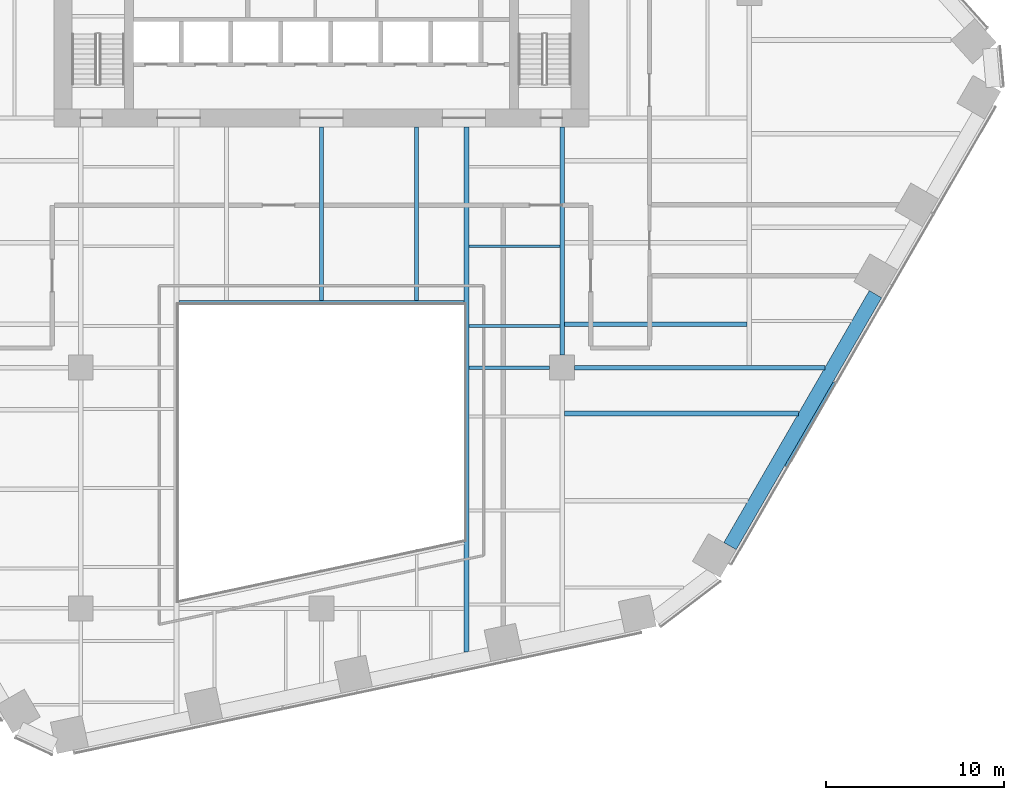
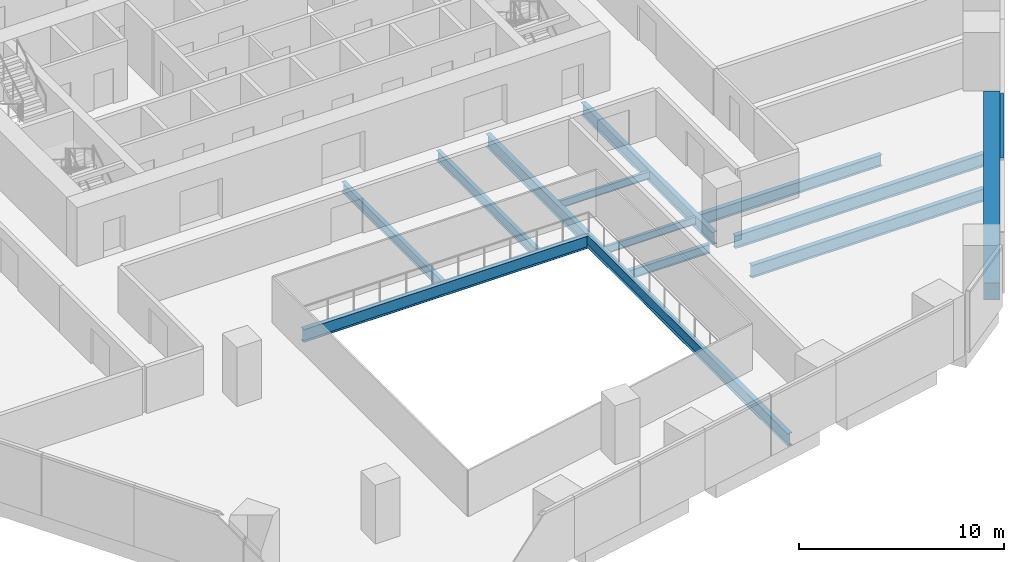
# One storey, part 6 of 20: 12 beams, 1 member, 1 element without a shape of its own.
"""IFC4 building model written with IfcOpenShell, lengths in metres."""

import ifcopenshell
import ifcopenshell.guid

model = None  # the IFC model being written
_history = None  # IfcOwnerHistory: only IFC2X3 demands one
_inside = {}  # id of a spatial element -> (the spatial element, [elements in it])
_under = {}  # id of a project, library or spatial element -> (it, [spatial elements below it])
_declared = {}  # id of a project -> (the project, [libraries it declares])
_typed = {}  # id of a type object -> (the type object, [elements of that type])
_made_of = {}  # id of a material, layer set ... -> (it, [elements and type objects made of it])


def new_model(schema):
    """Start an empty IFC model of exactly this schema.

    Asked for "IFC4X3", IfcOpenShell would pick the latest addendum, in which some entities
    have other attributes; the version numbers below select the first issue.
    IFC2X3 requires an IfcOwnerHistory on every rooted entity: one is made here for all.
    """
    global model, _history
    if schema == "IFC4X3":
        model = ifcopenshell.file(schema_version=(4, 3, 0, 0))
    else:
        model = ifcopenshell.file(schema=schema)
    _inside.clear()
    _under.clear()
    _declared.clear()
    _typed.clear()
    _made_of.clear()
    _history = None
    if model.schema == "IFC2X3":
        org = make("IfcOrganization", Name="unknown")
        user = make(
            "IfcPersonAndOrganization",
            ThePerson=make("IfcPerson", FamilyName="unknown"),
            TheOrganization=org,
        )
        app = make(
            "IfcApplication",
            ApplicationDeveloper=org,
            Version="unknown",
            ApplicationFullName="unknown",
            ApplicationIdentifier="unknown",
        )
        _history = make(
            "IfcOwnerHistory",
            OwningUser=user,
            OwningApplication=app,
            ChangeAction="ADDED",
            CreationDate=0,
        )
    return model


def make(cls, **values):
    """One entity of the class cls with the attributes given. An attribute that is None is left unset."""
    return model.create_entity(
        cls, **{name: value for name, value in values.items() if value is not None}
    )


def rooted(cls, **values):
    """An entity with a GlobalId (a new one), such as an element, a storey or a relation."""
    return make(cls, GlobalId=ifcopenshell.guid.new(), OwnerHistory=_history, **values)


def si_unit(unit_type, name, prefix=None):
    """IfcSIUnit, for example si_unit("LENGTHUNIT", "METRE", prefix="MILLI")."""
    return make("IfcSIUnit", UnitType=unit_type, Prefix=prefix, Name=name)


def assignment(units):
    """IfcUnitAssignment: the units of a project."""
    return None if units is None else make("IfcUnitAssignment", Units=units)


def point(xyz):
    """IfcCartesianPoint."""
    return None if xyz is None else make("IfcCartesianPoint", Coordinates=xyz)


def direction(xyz):
    """IfcDirection."""
    return None if xyz is None else make("IfcDirection", DirectionRatios=xyz)


def frame(location, z_axis=None, x_axis=None):
    """IfcAxis2Placement3D, a coordinate frame: its origin and axes. An axis left out is left unset."""
    return make(
        "IfcAxis2Placement3D",
        Location=point(location),
        Axis=direction(z_axis),
        RefDirection=direction(x_axis),
    )


def frame_2d(location, x_axis=None):
    """IfcAxis2Placement2D, a coordinate frame in the plane: its origin and x axis."""
    return make(
        "IfcAxis2Placement2D", Location=point(location), RefDirection=direction(x_axis)
    )


def origin():
    """The frame at (0, 0, 0) with its axes left unset."""
    return frame((0.0, 0.0, 0.0))


def origin_2d():
    """The frame at (0, 0) in the plane with its x axis left unset."""
    return frame_2d((0.0, 0.0))


def place(relative_to, where):
    """IfcLocalPlacement: puts the frame where relative to a parent placement (None: the world)."""
    return make(
        "IfcLocalPlacement", PlacementRelTo=relative_to, RelativePlacement=where
    )


def context(
    kind, dimensions, precision=None, world=None, true_north=None, identifier=None
):
    """IfcGeometricRepresentationContext, for example the 3D "Model" context."""
    return make(
        "IfcGeometricRepresentationContext",
        ContextIdentifier=identifier,
        ContextType=kind,
        CoordinateSpaceDimension=dimensions,
        Precision=precision,
        WorldCoordinateSystem=world,
        TrueNorth=true_north,
    )


def subcontext(parent, identifier, kind, view, scale=None):
    """IfcGeometricRepresentationSubContext, for example "Body" below "Model"."""
    return make(
        "IfcGeometricRepresentationSubContext",
        ContextIdentifier=identifier,
        ContextType=kind,
        ParentContext=parent,
        TargetScale=scale,
        TargetView=view,
    )


def project(units=None, contexts=None):
    """IfcProject with its units and contexts."""
    return rooted(
        "IfcProject",
        Name="project",
        RepresentationContexts=contexts,
        UnitsInContext=assignment(units),
    )


def spatial(cls, under=None, at=None, **own):
    """A site, building, storey or space (cls), placed at a placement, below another one or the project."""
    s = rooted(cls, ObjectPlacement=at, **own)
    if under is not None:
        _under.setdefault(under.id(), (under, []))[1].append(s)
    return s


def profile(cls, at=None, kind="AREA", **sizes):
    """A parametric profile (cls). Its sizes go by their IFC names, for example OverallWidth=200.0."""
    return make(cls, ProfileType=kind, Position=at, **sizes)


def rectangle(**sizes):
    """IfcRectangleProfileDef."""
    return profile("IfcRectangleProfileDef", **sizes)


def i_section(**sizes):
    """IfcIShapeProfileDef."""
    return profile("IfcIShapeProfileDef", **sizes)


def extrude(swept, where, along, depth):
    """IfcExtrudedAreaSolid: the profile swept, set in the frame where, extruded along a direction by depth."""
    return make(
        "IfcExtrudedAreaSolid",
        SweptArea=swept,
        Position=where,
        ExtrudedDirection=direction(along),
        Depth=depth,
    )


def shape(context_of_items, identifier, shape_type, items):
    """IfcShapeRepresentation: the items that make up one representation, for example the "Body"."""
    return make(
        "IfcShapeRepresentation",
        ContextOfItems=context_of_items,
        RepresentationIdentifier=identifier,
        RepresentationType=shape_type,
        Items=items,
    )


def material(Name=None, Category=None):
    """IfcMaterial."""
    return make("IfcMaterial", Name=Name, Category=Category)


def layer(
    of_material, thickness, ventilated=None, Name=None, Category=None, Priority=None
):
    """IfcMaterialLayer: one layer of a wall or slab, of a material (None: an air gap)."""
    return make(
        "IfcMaterialLayer",
        Material=of_material,
        LayerThickness=thickness,
        IsVentilated=ventilated,
        Name=Name,
        Category=Category,
        Priority=Priority,
    )


def layer_set(layers, Name=None):
    """IfcMaterialLayerSet."""
    return make("IfcMaterialLayerSet", MaterialLayers=layers, LayerSetName=Name)


def material_profile(
    of_material, cross_section, Name=None, Category=None, Priority=None
):
    """IfcMaterialProfile: a cross section and its material."""
    return make(
        "IfcMaterialProfile",
        Name=Name,
        Material=of_material,
        Profile=cross_section,
        Priority=Priority,
        Category=Category,
    )


def profile_set(profiles, Name=None, composite=None):
    """IfcMaterialProfileSet."""
    return make(
        "IfcMaterialProfileSet",
        Name=Name,
        MaterialProfiles=profiles,
        CompositeProfile=composite,
    )


def made_of(thing, what):
    """Note that an element or type object is made of a material, layer set ...; save() writes the relation."""
    if what is not None:
        _made_of.setdefault(what.id(), (what, []))[1].append(thing)
    return thing


def type_object(cls, material=None, **own):
    """A type object (cls), such as IfcWallType, which elements share."""
    return made_of(rooted(cls, **own), material)


def element(
    cls,
    number,
    at=None,
    inside=None,
    cuts=None,
    type_object=None,
    material=None,
    context=None,
    identifier="Body",
    shape_type=None,
    held_by="IfcProductDefinitionShape",
    body=None,
    shapes=None,
    **own,
):
    """One element of the class cls, such as IfcWall. Its Tag is "e" and its number.

    at: its placement. inside: the storey or other place that contains it. cuts: it is an
    opening in that element (IfcRelVoidsElement). A single representation is given by context,
    identifier, shape_type and body (its items); several are given by shapes. held_by: the class
    of the entity that holds the representations. save() writes the other relations.
    """
    e = rooted(cls, Tag="e%d" % number, ObjectPlacement=at, **own)
    if body is not None:
        shapes = [shape(context, identifier, shape_type, body)]
    if shapes is not None:
        e.Representation = make(held_by, Representations=shapes)
    if inside is not None:
        _inside.setdefault(inside.id(), (inside, []))[1].append(e)
    if cuts is not None:
        rooted(
            "IfcRelVoidsElement", RelatingBuildingElement=cuts, RelatedOpeningElement=e
        )
    if type_object is not None:
        _typed.setdefault(type_object.id(), (type_object, []))[1].append(e)
    return made_of(e, material)


def aggregate(whole, parts):
    """IfcRelAggregates: a whole, such as a stair, and the parts it consists of."""
    return rooted("IfcRelAggregates", RelatingObject=whole, RelatedObjects=parts)


def save(model, path):
    """Write the relations noted so far, then the file.

    IfcRelAggregates (storeys below a building ...), IfcRelContainedInSpatialStructure (elements
    in a storey), IfcRelDefinesByType, IfcRelAssociatesMaterial and IfcRelDeclares: one each for
    every whole, place, type object, material and project.
    """
    for whole, parts in _under.values():
        aggregate(whole, parts)
    for where, things in _inside.values():
        rooted(
            "IfcRelContainedInSpatialStructure",
            RelatedElements=things,
            RelatingStructure=where,
        )
    for kind, things in _typed.values():
        rooted("IfcRelDefinesByType", RelatedObjects=things, RelatingType=kind)
    for what, things in _made_of.values():
        rooted("IfcRelAssociatesMaterial", RelatedObjects=things, RelatingMaterial=what)
    for by, libraries in _declared.values():
        rooted("IfcRelDeclares", RelatingContext=by, RelatedDefinitions=libraries)
    model.write(path)


model = new_model("IFC4")

# Units and contexts
model_context = context("Model", 3, precision=1e-05, world=origin(), true_north=direction((0.0, 1.0)))
body_context = subcontext(model_context, "Body", "Model", "MODEL_VIEW")
ifc_project = project(units=[si_unit("LENGTHUNIT", "METRE"), si_unit("AREAUNIT", "SQUARE_METRE"), si_unit("VOLUMEUNIT", "CUBIC_METRE"), si_unit("PLANEANGLEUNIT", "RADIAN"), si_unit("MASSUNIT", "GRAM", prefix="KILO")], contexts=[model_context])

# Site, building, storey
site_placement = place(None, origin())
site = spatial("IfcSite", under=ifc_project, at=site_placement, CompositionType="ELEMENT")
building_placement = place(site_placement, origin())
building = spatial("IfcBuilding", under=site, at=building_placement, Name="Isthmus Gate Tower", CompositionType="ELEMENT")
storey_placement = place(building_placement, frame((0.0, 0.0, 43.300048828125)))
storey = spatial("IfcBuildingStorey", under=building, at=storey_placement, Name="L08", CompositionType="ELEMENT", Elevation=43.300048828125)

# Curtain wall, member
ifc_material_1 = material(Name="Aluminium, pale champagne anodised", Category="aluminium")
ifc_layer = layer(ifc_material_1, 0.199951171875)
ifc_layer_set = layer_set([ifc_layer], Name="CW-1 UNITISED CURTAIN WALL 200 DEEP")
curtain_wall_type = type_object("IfcCurtainWallType", Name="CW-1 UNITISED CURTAIN WALL 200 DEEP", PredefinedType="NOTDEFINED", material=ifc_layer_set)
curtain_wall_placement = place(storey_placement, origin())
curtain_wall = element("IfcCurtainWall", 1, at=curtain_wall_placement, inside=storey, type_object=curtain_wall_type, Name="CW-1 SE L08", PredefinedType="NOTDEFINED")
ifc_material_2 = material(Name="Aluminium, pale champagne anodised", Category="aluminium")
ifc_material_profile_1 = material_profile(ifc_material_2, rectangle(XDim=0.199951171875, YDim=0.14990234375, at=origin_2d()), Name="200x150")
ifc_profile_set_1 = profile_set([ifc_material_profile_1], Name="Aluminium, pale champagne anodised")
member_type = type_object("IfcMemberType", Name="CW-1 TRANSOM 200 X 150", PredefinedType="USERDEFINED", material=ifc_profile_set_1)
member_placement = place(storey_placement, frame((26.06787109375, -19.04931640625, 3.574951171875), z_axis=(0.499991872758, 0.866030095999, 0.0), x_axis=(-0.866030095999, 0.499991872758, 0.0)))
member = element("IfcMember", 2, at=member_placement, type_object=member_type, Name="CW-1 transom", ObjectType="TRANSOM", PredefinedType="USERDEFINED", context=body_context, shape_type="SweptSolid", body=[
    extrude(rectangle(XDim=0.199951171875, YDim=0.14990234375, at=origin_2d()), origin(), (0.0, 0.0, 1.0), 5.4384765625),
])
aggregate(curtain_wall, [member])

# Beams
ifc_material_3 = material(Name="Concrete f'c 70 MPa", Category="concrete")
ifc_material_profile_2 = material_profile(ifc_material_3, rectangle(XDim=0.800048828125, YDim=1.0, at=origin_2d()), Name="RC 800X1000")
ifc_profile_set_2 = profile_set([ifc_material_profile_2], Name="Concrete f'c 70 MPa")
beam_type_1 = type_object("IfcBeamType", Name="RC SPANDREL 800 X 1000", PredefinedType="SPANDREL", material=ifc_profile_set_2)
beam_1_placement = place(storey_placement, frame((31.0732421875, -9.37939453125, -0.5), z_axis=(-0.499991872758, -0.866030095999, 0.0), x_axis=(0.866030095999, -0.499991872758, 0.0)))
element("IfcBeam", 3, at=beam_1_placement, inside=storey, type_object=beam_type_1, Name="str-spandrel-L08-08", PredefinedType="SPANDREL", context=body_context, shape_type="SweptSolid", body=[
    extrude(rectangle(XDim=0.800048828125, YDim=1.0, at=origin_2d()), origin(), (0.0, 0.0, 1.0), 16.315673828125),
])
ifc_material_4 = material(Name="Structural steel ASTM A992 Gr 50", Category="steel")
ifc_material_profile_3 = material_profile(ifc_material_4, i_section(OverallWidth=0.15234375, OverallDepth=0.45068359375, WebThickness=0.0078125, FlangeThickness=0.010986328125, at=origin_2d()), Name="W18X35")
ifc_profile_set_3 = profile_set([ifc_material_profile_3], Name="Structural steel ASTM A992 Gr 50")
beam_type_2 = type_object("IfcBeamType", Name="STEEL FLOOR BEAM W18X35", PredefinedType="JOIST", material=ifc_profile_set_3)
for number, where, z_axis, x_axis, name in (
    (4, (8.263427734375, -11.16259765625, -0.37548828125), (1.0, 0.0, 0.0), (0.0, 1.0, 0.0), "str-beam-L08-23-00"),
    (5, (8.263427734375, -6.697509765625, -0.37548828125), (1.0, 0.0, 0.0), (0.0, 1.0, 0.0), "str-beam-L08-23-01"),
):
    element("IfcBeam", number, at=place(storey_placement, frame(where, z_axis=z_axis, x_axis=x_axis)), inside=storey, type_object=beam_type_2, Name=name, PredefinedType="JOIST", context=body_context, shape_type="SweptSolid", body=[
        extrude(i_section(OverallWidth=0.15234375, OverallDepth=0.45068359375, WebThickness=0.0078125, FlangeThickness=0.010986328125, at=origin_2d()), origin(), (0.0, 0.0, 1.0), 5.104736328125),
    ])
ifc_material_5 = material(Name="Structural steel ASTM A992 Gr 50", Category="steel")
ifc_material_profile_4 = material_profile(ifc_material_5, i_section(OverallWidth=0.228515625, OverallDepth=0.603271484375, WebThickness=0.010986328125, FlangeThickness=0.014404296875, at=origin_2d()), Name="W24X68")
ifc_profile_set_4 = profile_set([ifc_material_profile_4], Name="Structural steel ASTM A992 Gr 50")
beam_type_3 = type_object("IfcBeamType", Name="STEEL FLOOR BEAM W24X68", PredefinedType="JOIST", material=ifc_profile_set_4)
for number, where, z_axis, x_axis, name in (
    (6, (0.0, -9.7333984375, -0.45166015625), (0.0, 1.0, 0.0), (-1.0, 0.0, 0.0), "str-beam-L08-16-01"),
    (7, (5.333251953125, -9.7333984375, -0.45166015625), (0.0, 1.0, 0.0), (-1.0, 0.0, 0.0), "str-beam-L08-16-02"),
):
    element("IfcBeam", number, at=place(storey_placement, frame(where, z_axis=z_axis, x_axis=x_axis)), inside=storey, type_object=beam_type_3, Name=name, PredefinedType="JOIST", context=body_context, shape_type="SweptSolid", body=[
        extrude(i_section(OverallWidth=0.228515625, OverallDepth=0.603271484375, WebThickness=0.010986328125, FlangeThickness=0.014404296875, at=origin_2d()), origin(), (0.0, 0.0, 1.0), 9.7333984375),
    ])
ifc_material_6 = material(Name="Structural steel ASTM A992 Gr 50", Category="steel")
ifc_material_profile_5 = material_profile(ifc_material_6, i_section(OverallWidth=0.25390625, OverallDepth=0.679443359375, WebThickness=0.010986328125, FlangeThickness=0.015869140625, at=origin_2d()), Name="W27X84")
ifc_profile_set_5 = profile_set([ifc_material_profile_5], Name="Structural steel ASTM A992 Gr 50")
beam_type_4 = type_object("IfcBeamType", Name="STEEL FLOOR BEAM W27X84", PredefinedType="JOIST", material=ifc_profile_set_5)
beam_2_placement = place(storey_placement, frame((13.6318359375, -11.07470703125, -0.48974609375), z_axis=(1.0, 0.0, 0.0), x_axis=(0.0, 1.0, 0.0)))
element("IfcBeam", 8, at=beam_2_placement, inside=storey, type_object=beam_type_4, Name="str-beam-L08-27-00", PredefinedType="JOIST", context=body_context, shape_type="SweptSolid", body=[
    extrude(i_section(OverallWidth=0.25390625, OverallDepth=0.679443359375, WebThickness=0.010986328125, FlangeThickness=0.015869140625, at=origin_2d()), origin(), (0.0, 0.0, 1.0), 10.23486328125),
])
ifc_material_7 = material(Name="Structural steel ASTM A992 Gr 50", Category="steel")
ifc_material_profile_6 = material_profile(ifc_material_7, i_section(OverallWidth=0.263427734375, OverallDepth=0.749267578125, WebThickness=0.0126953125, FlangeThickness=0.015869140625, at=origin_2d()), Name="W30X90")
ifc_profile_set_6 = profile_set([ifc_material_profile_6], Name="Structural steel ASTM A992 Gr 50")
beam_type_5 = type_object("IfcBeamType", Name="STEEL FLOOR BEAM W30X90", PredefinedType="JOIST", material=ifc_profile_set_6)
beam_3_placement = place(storey_placement, frame((13.63330078125, -16.0751953125, -0.524658203125), z_axis=(1.0, 0.0, 0.0), x_axis=(0.0, 1.0, 0.0)))
element("IfcBeam", 9, at=beam_3_placement, inside=storey, type_object=beam_type_5, Name="str-beam-L08-28-02", PredefinedType="JOIST", context=body_context, shape_type="SweptSolid", body=[
    extrude(i_section(OverallWidth=0.263427734375, OverallDepth=0.749267578125, WebThickness=0.0126953125, FlangeThickness=0.015869140625, at=origin_2d()), origin(), (0.0, 0.0, 1.0), 13.1123046875),
])
ifc_material_8 = material(Name="Structural steel ASTM A992 Gr 50", Category="steel")
ifc_material_profile_7 = material_profile(ifc_material_8, i_section(OverallWidth=0.20947265625, OverallDepth=0.533447265625, WebThickness=0.009521484375, FlangeThickness=0.015869140625, at=origin_2d()), Name="W21X62")
ifc_profile_set_7 = profile_set([ifc_material_profile_7], Name="Structural steel ASTM A992 Gr 50")
beam_type_6 = type_object("IfcBeamType", Name="STEEL GIRDER W21X62", PredefinedType="BEAM", material=ifc_profile_set_7)
beam_4_placement = place(storey_placement, frame((8.263427734375, -13.5, -0.416748046875), z_axis=(1.0, 0.0, 0.0), x_axis=(0.0, 1.0, 0.0)))
element("IfcBeam", 10, at=beam_4_placement, inside=storey, type_object=beam_type_6, Name="str-girder-L08-07", PredefinedType="BEAM", context=body_context, shape_type="SweptSolid", body=[
    extrude(i_section(OverallWidth=0.20947265625, OverallDepth=0.533447265625, WebThickness=0.009521484375, FlangeThickness=0.015869140625, at=origin_2d()), origin(), (0.0, 0.0, 1.0), 4.53662109375),
])
ifc_material_9 = material(Name="Structural steel ASTM A992 Gr 50", Category="steel")
ifc_material_profile_8 = material_profile(ifc_material_9, i_section(OverallWidth=0.2666015625, OverallDepth=0.7587890625, WebThickness=0.014404296875, FlangeThickness=0.01904296875, at=origin_2d()), Name="W30X108")
ifc_profile_set_8 = profile_set([ifc_material_profile_8], Name="Structural steel ASTM A992 Gr 50")
beam_type_7 = type_object("IfcBeamType", Name="STEEL GIRDER W30X108", PredefinedType="BEAM", material=ifc_profile_set_8)
beam_5_placement = place(storey_placement, frame((14.199951171875, -13.5, -0.529541015625), z_axis=(1.0, 0.0, 0.0), x_axis=(0.0, 1.0, 0.0)))
element("IfcBeam", 11, at=beam_5_placement, inside=storey, type_object=beam_type_7, Name="str-girder-L08-08", PredefinedType="BEAM", context=body_context, shape_type="SweptSolid", body=[
    extrude(i_section(OverallWidth=0.2666015625, OverallDepth=0.7587890625, WebThickness=0.014404296875, FlangeThickness=0.01904296875, at=origin_2d()), origin(), (0.0, 0.0, 1.0), 14.032470703125),
])
ifc_material_10 = material(Name="Structural steel ASTM A992 Gr 50", Category="steel")
ifc_material_profile_9 = material_profile(ifc_material_10, i_section(OverallWidth=0.263427734375, OverallDepth=0.749267578125, WebThickness=0.0126953125, FlangeThickness=0.015869140625, at=origin_2d()), Name="W30X90")
ifc_profile_set_9 = profile_set([ifc_material_profile_9], Name="Structural steel ASTM A992 Gr 50")
beam_type_8 = type_object("IfcBeamType", Name="STEEL GIRDER W30X90", PredefinedType="BEAM", material=ifc_profile_set_9)
beam_6_placement = place(storey_placement, frame((13.5, -12.800048828125, -0.524658203125), z_axis=(0.0, 1.0, 0.0), x_axis=(-1.0, 0.0, 0.0)))
element("IfcBeam", 12, at=beam_6_placement, inside=storey, type_object=beam_type_8, Name="str-girder-L08-32", PredefinedType="BEAM", context=body_context, shape_type="SweptSolid", body=[
    extrude(i_section(OverallWidth=0.263427734375, OverallDepth=0.749267578125, WebThickness=0.0126953125, FlangeThickness=0.015869140625, at=origin_2d()), origin(), (0.0, 0.0, 1.0), 12.800048828125),
])
ifc_material_11 = material(Name="Structural steel ASTM A992 Gr 50", Category="steel")
ifc_material_profile_10 = material_profile(ifc_material_11, i_section(OverallWidth=0.2666015625, OverallDepth=0.7587890625, WebThickness=0.014404296875, FlangeThickness=0.01904296875, at=origin_2d()), Name="W30X108")
ifc_profile_set_10 = profile_set([ifc_material_profile_10], Name="Structural steel ASTM A992 Gr 50")
beam_type_9 = type_object("IfcBeamType", Name="STEEL TRIMMER W30X108", PredefinedType="BEAM", material=ifc_profile_set_10)
beam_7_placement = place(storey_placement, frame((8.0, -9.86669921875, -0.529541015625), z_axis=(-1.0, 0.0, 0.0), x_axis=(0.0, -1.0, 0.0)))
element("IfcBeam", 13, at=beam_7_placement, inside=storey, type_object=beam_type_9, Name="str-trimmer-L08-04", PredefinedType="BEAM", context=body_context, shape_type="SweptSolid", body=[
    extrude(i_section(OverallWidth=0.2666015625, OverallDepth=0.7587890625, WebThickness=0.014404296875, FlangeThickness=0.01904296875, at=origin_2d()), origin(), (0.0, 0.0, 1.0), 16.0),
])
ifc_material_12 = material(Name="Structural steel ASTM A992 Gr 50", Category="steel")
ifc_material_profile_11 = material_profile(ifc_material_12, i_section(OverallWidth=0.263427734375, OverallDepth=0.749267578125, WebThickness=0.0126953125, FlangeThickness=0.015869140625, at=origin_2d()), Name="W30X90")
ifc_profile_set_11 = profile_set([ifc_material_profile_11], Name="Structural steel ASTM A992 Gr 50")
beam_type_10 = type_object("IfcBeamType", Name="STEEL TRIMMER W30X90", PredefinedType="BEAM", material=ifc_profile_set_11)
beam_8_placement = place(storey_placement, frame((8.1318359375, -29.45361328125, -0.524658203125), z_axis=(0.0, 1.0, 0.0), x_axis=(-1.0, 0.0, 0.0)))
element("IfcBeam", 14, at=beam_8_placement, inside=storey, type_object=beam_type_10, Name="str-trimmer-L08-01", PredefinedType="BEAM", context=body_context, shape_type="SweptSolid", body=[
    extrude(i_section(OverallWidth=0.263427734375, OverallDepth=0.749267578125, WebThickness=0.0126953125, FlangeThickness=0.015869140625, at=origin_2d()), origin(), (0.0, 0.0, 1.0), 29.45361328125),
])

save(model, "model.ifc")
